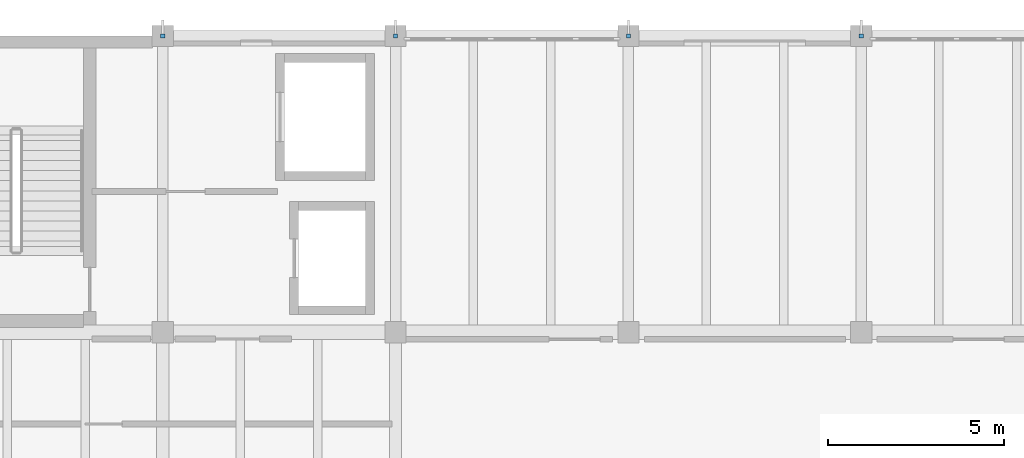
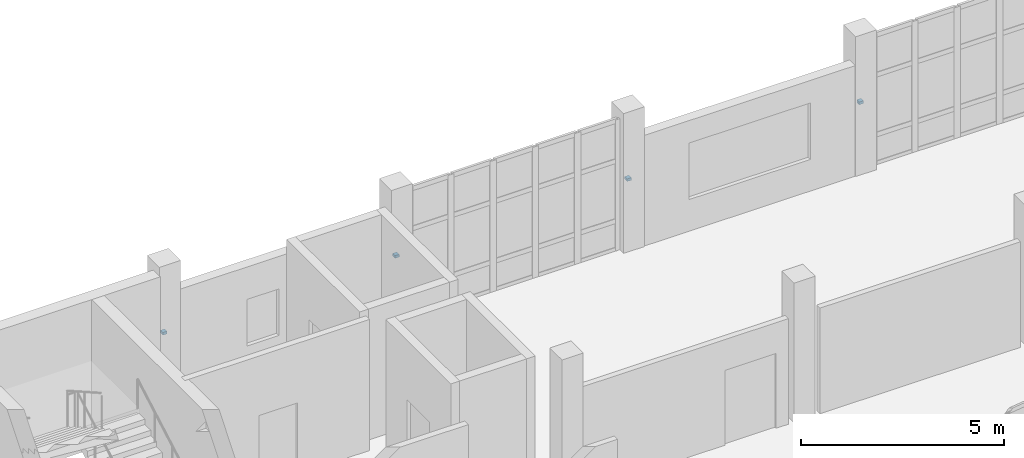
# One storey, part 61 of 74: 4 discrete accessories.
"""IFC4 building model written with IfcOpenShell, lengths in metres."""

from ifc_helpers import new_model, si_unit, direction, frame, origin, origin_2d, place, context, subcontext, project, spatial, rectangle, extrude, material, layer, layer_set, type_object, element, save


model = new_model("IFC4")

# Units and contexts
model_context = context("Model", 3, precision=1e-05, world=origin(), true_north=direction((0.0, 1.0)))
body_context = subcontext(model_context, "Body", "Model", "MODEL_VIEW")
ifc_project = project(units=[si_unit("LENGTHUNIT", "METRE"), si_unit("AREAUNIT", "SQUARE_METRE"), si_unit("VOLUMEUNIT", "CUBIC_METRE"), si_unit("PLANEANGLEUNIT", "RADIAN"), si_unit("MASSUNIT", "GRAM", prefix="KILO")], contexts=[model_context])

# Site, building, storey
site_placement = place(None, origin())
site = spatial("IfcSite", under=ifc_project, at=site_placement, CompositionType="ELEMENT")
building_placement = place(site_placement, origin())
building = spatial("IfcBuilding", under=site, at=building_placement, Name="Qaldarim Faculty of Natural and Applied Sciences", CompositionType="ELEMENT")
storey_placement = place(building_placement, frame((0.0, 0.0, 14.39990234375)))
storey = spatial("IfcBuildingStorey", under=building, at=storey_placement, Name="L03", CompositionType="ELEMENT", Elevation=14.39990234375)

# Discrete accessories
ifc_material = material(Name="Architectural stainless steel 316", Category="steel")
ifc_layer = layer(ifc_material, 0.080078125)
ifc_layer_set = layer_set([ifc_layer], Name="Architectural stainless steel 316")
discrete_accessory_type = type_object("IfcDiscreteAccessoryType", Name="FacadeBracket-SS120", PredefinedType="BRACKET", material=ifc_layer_set)
for number, where, z_axis, x_axis, name in (
    (1, (105.60009765625, 117.60009765625, 1.93017578125), (0.0, 0.0, 1.0), (1.0, 0.0, 0.0), "North fin bracket FIN-V4N-L03-X17"),
    (2, (112.199951171875, 117.60009765625, 1.93017578125), (0.0, 0.0, 1.0), (1.0, 0.0, 0.0), "North fin bracket FIN-V4N-L03-X18"),
    (3, (118.800048828125, 117.60009765625, 1.93017578125), (0.0, 0.0, 1.0), (1.0, 0.0, 0.0), "North fin bracket FIN-V4N-L03-X19"),
    (4, (125.39990234375, 117.60009765625, 1.93017578125), (0.0, 0.0, 1.0), (1.0, 0.0, 0.0), "North fin bracket FIN-V4N-L03-X20"),
):
    element("IfcDiscreteAccessory", number, at=place(storey_placement, frame(where, z_axis=z_axis, x_axis=x_axis)), inside=storey, type_object=discrete_accessory_type, Name=name, PredefinedType="BRACKET", context=body_context, shape_type="SweptSolid", body=[
        extrude(rectangle(XDim=0.1201171875, YDim=0.1201171875, at=origin_2d()), origin(), (0.0, 0.0, 1.0), 0.080078125),
    ])

save(model, "model.ifc")
